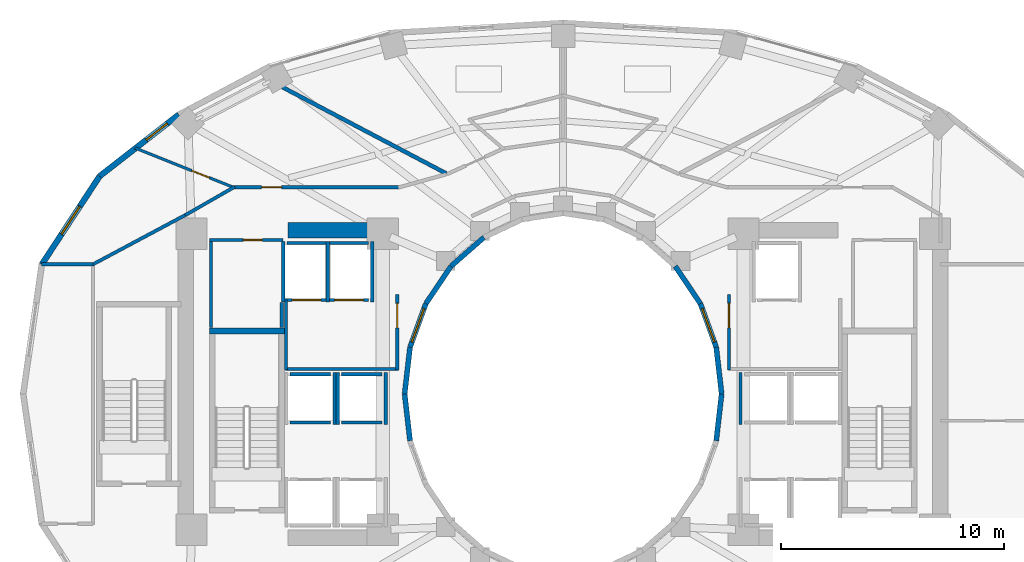
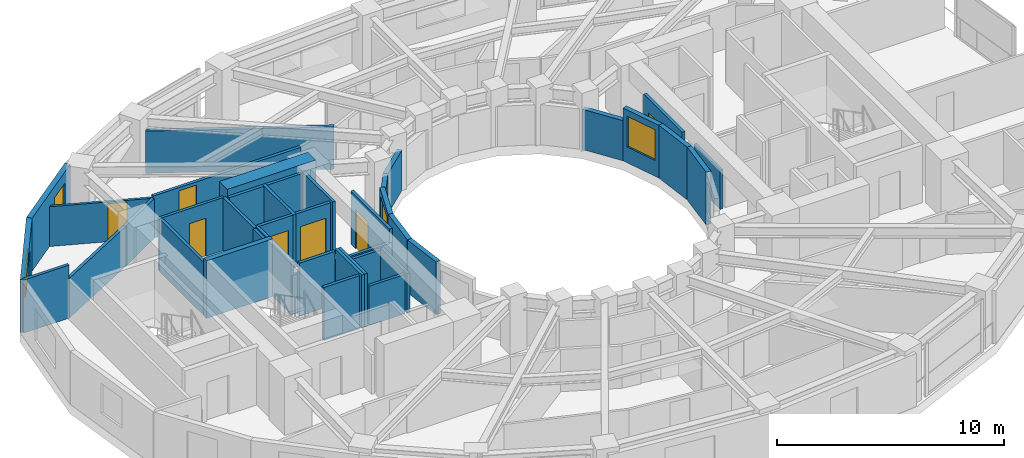
# One storey, part 12 of 18: 41 walls, 7 doors, 4 windows, 11 openings.
"""IFC4 building model written with IfcOpenShell, lengths in metres."""

from ifc_helpers import new_model, si_unit, direction, frame, frame_2d, origin, place, context, subcontext, project, spatial, rectangle, extrude, material, layer, layer_set, type_object, element, fill, save


model = new_model("IFC4")

# Units and contexts
model_context = context("Model", 3, precision=1e-05, world=origin(), true_north=direction((0.0, 1.0)))
body_context = subcontext(model_context, "Body", "Model", "MODEL_VIEW")
ifc_project = project(units=[si_unit("LENGTHUNIT", "METRE"), si_unit("AREAUNIT", "SQUARE_METRE"), si_unit("VOLUMEUNIT", "CUBIC_METRE"), si_unit("PLANEANGLEUNIT", "RADIAN"), si_unit("MASSUNIT", "GRAM", prefix="KILO")], contexts=[model_context])

# Site, building, storey
site_placement = place(None, origin())
site = spatial("IfcSite", under=ifc_project, at=site_placement, CompositionType="ELEMENT")
building_placement = place(site_placement, origin())
building = spatial("IfcBuilding", under=site, at=building_placement, Name="Solvane Sanctuary Tower", CompositionType="ELEMENT")
storey_placement = place(building_placement, frame((0.0, 0.0, 94.89990234375)))
storey = spatial("IfcBuildingStorey", under=building, at=storey_placement, Name="L28", CompositionType="ELEMENT", Elevation=94.89990234375)

# Walls
ifc_material_1 = material(Name="Concrete C60/75", Category="concrete")
ifc_layer_1 = layer(ifc_material_1, 0.699951171875, Name="Concrete C60/75")
ifc_layer_set_1 = layer_set([ifc_layer_1], Name="Concrete C60/75")
wall_type_1 = type_object("IfcWallType", Name="Wall W-CORE-700", PredefinedType="SHEAR", material=ifc_layer_set_1)
wall_1_placement = place(storey_placement, frame((19.64990234375, 30.35009765625, 0.0), z_axis=(0.0, 0.0, 1.0), x_axis=(1.0, 0.0, 0.0)))
element("IfcWall", 1, at=wall_1_placement, inside=storey, type_object=wall_type_1, Name="L28 Core Shear Wall WC-N", PredefinedType="SHEAR", context=body_context, shape_type="SweptSolid", body=[
    extrude(rectangle(XDim=4.5, YDim=0.699951171875, at=frame_2d((2.25, 0.0))), origin(), (0.0, 0.0, 1.0), 3.10009765625),
])
ifc_material_2 = material(Name="Acoustic Gypsum Partition Board")
ifc_layer_2 = layer(ifc_material_2, 0.14990234375, Name="Acoustic Gypsum Partition Board")
ifc_layer_set_2 = layer_set([ifc_layer_2], Name="Acoustic Gypsum Partition Board")
wall_type_2 = type_object("IfcWallType", Name="Wall W-CORR-150", PredefinedType="PARTITIONING", material=ifc_layer_set_2)
wall_2_placement = place(storey_placement, frame((19.52001953125, 24.1201171875, 0.0), z_axis=(0.0, 0.0, 1.0), x_axis=(1.0, 0.0, 0.0)))
element("IfcWall", 2, at=wall_2_placement, inside=storey, type_object=wall_type_2, Name="L28 West Firefighting Lobby South Wall", PredefinedType="PARTITIONING", context=body_context, shape_type="SweptSolid", body=[
    extrude(rectangle(XDim=5.080078125, YDim=0.14990234375, at=frame_2d((2.5400390625, 0.0))), origin(), (0.0, 0.0, 1.0), 2.1201171875),
])
wall_3_placement = place(storey_placement, frame((19.550048828125, 24.080078125, 0.0), z_axis=(0.0, 0.0, 1.0), x_axis=(0.0, 1.0, 0.0)))
element("IfcWall", 3, at=wall_3_placement, inside=storey, type_object=wall_type_2, Name="L28 West Firefighting Lobby West Wall", PredefinedType="PARTITIONING", context=body_context, shape_type="SweptSolid", body=[
    extrude(rectangle(XDim=3.199951171875, YDim=0.14990234375, at=frame_2d((1.60009765625, 0.0))), origin(), (0.0, 0.0, 1.0), 2.85498046875),
])

# Wall, opening, door
wall_4_placement = place(storey_placement, frame((24.550048828125, 24.080078125, 0.0), z_axis=(0.0, 0.0, 1.0), x_axis=(0.0, 1.0, 0.0)))
wall_4 = element("IfcWall", 4, at=wall_4_placement, inside=storey, type_object=wall_type_2, Name="L28 West Firefighting Lobby East Wall", PredefinedType="PARTITIONING", context=body_context, shape_type="SweptSolid", body=[
    extrude(rectangle(XDim=3.39990234375, YDim=0.14990234375, at=frame_2d((1.699951171875, 0.0))), origin(), (0.0, 0.0, 1.0), 2.85498046875),
])
opening_1_placement = place(wall_4_placement, frame((1.893798828125, 0.0, 0.0)))
opening_1 = element("IfcOpeningElement", 5, at=opening_1_placement, cuts=wall_4, Name="Opening D-L28-04", PredefinedType="OPENING", context=body_context, shape_type="SweptSolid", body=[
    extrude(rectangle(XDim=1.10009765625, YDim=2.10009765625, at=frame_2d((0.550048828125, 1.050048828125))), frame((0.0, 0.0849609375, 0.0), z_axis=(0.0, -1.0, 0.0), x_axis=(1.0, 0.0, 0.0)), (0.0, 0.0, 1.0), 0.169921875),
])
ifc_material_3 = material(Name="Architectural Stainless Steel 316", Category="steel")
door_type_1 = type_object("IfcDoorType", Name="Door D-FFL", OperationType="NOTDEFINED", PredefinedType="DOOR", material=ifc_material_3)
door_1_placement = place(opening_1_placement, origin())
door_1 = element("IfcDoor", 6, at=door_1_placement, inside=storey, type_object=door_type_1, Name="L28 West Firefighting Lobby Fire Door", OperationType="SINGLE_SWING_LEFT", OverallHeight=2.10009765625, OverallWidth=1.10009765625, PredefinedType="DOOR", context=body_context, shape_type="SweptSolid", body=[
    extrude(rectangle(XDim=1.10009765625, YDim=2.10009765625, at=frame_2d((0.550048828125, 1.050048828125))), frame((0.0, 0.02490234375, 0.0), z_axis=(0.0, -1.0, 0.0), x_axis=(1.0, 0.0, 0.0)), (0.0, 0.0, 1.0), 0.050048828125),
])
fill(opening_1, door_1)

wall_5_placement = place(storey_placement, frame((39.449951171875, 24.080078125, 0.0), z_axis=(0.0, 0.0, 1.0), x_axis=(0.0, 1.0, 0.0)))
wall_5 = element("IfcWall", 7, at=wall_5_placement, inside=storey, type_object=wall_type_2, Name="L28 East Firefighting Lobby West Wall", PredefinedType="PARTITIONING", context=body_context, shape_type="SweptSolid", body=[
    extrude(rectangle(XDim=3.39990234375, YDim=0.14990234375, at=frame_2d((1.699951171875, 0.0))), origin(), (0.0, 0.0, 1.0), 2.85498046875),
])
opening_2_placement = place(wall_5_placement, frame((1.893798828125, 0.0, 0.0)))
opening_2 = element("IfcOpeningElement", 8, at=opening_2_placement, cuts=wall_5, Name="Opening D-L28-05", PredefinedType="OPENING", context=body_context, shape_type="SweptSolid", body=[
    extrude(rectangle(XDim=1.10009765625, YDim=2.10009765625, at=frame_2d((0.550048828125, 1.050048828125))), frame((0.0, 0.0849609375, 0.0), z_axis=(0.0, -1.0, 0.0), x_axis=(1.0, 0.0, 0.0)), (0.0, 0.0, 1.0), 0.169921875),
])
door_2_placement = place(opening_2_placement, origin())
door_2 = element("IfcDoor", 9, at=door_2_placement, inside=storey, type_object=door_type_1, Name="L28 East Firefighting Lobby Fire Door", OperationType="SINGLE_SWING_RIGHT", OverallHeight=2.10009765625, OverallWidth=1.10009765625, PredefinedType="DOOR", context=body_context, shape_type="SweptSolid", body=[
    extrude(rectangle(XDim=1.10009765625, YDim=2.10009765625, at=frame_2d((0.550048828125, 1.050048828125))), frame((0.0, 0.02490234375, 0.0), z_axis=(0.0, -1.0, 0.0), x_axis=(1.0, 0.0, 0.0)), (0.0, 0.0, 1.0), 0.050048828125),
])
fill(opening_2, door_2)

# Walls
wall_6_placement = place(storey_placement, frame((8.558349609375, 28.8251953125, 0.0), z_axis=(0.0, 0.0, 1.0), x_axis=(1.0, 0.0, 0.0)))
element("IfcWall", 10, at=wall_6_placement, inside=storey, type_object=wall_type_2, Name="L28 West Shoulder North Wall", PredefinedType="PARTITIONING", context=body_context, shape_type="SweptSolid", body=[
    extrude(rectangle(XDim=2.321533203125, YDim=0.14990234375, at=frame_2d((1.16064453125, 0.0))), origin(), (0.0, 0.0, 1.0), 2.85498046875),
])
wall_7_placement = place(storey_placement, frame((10.8447265625, 28.806396484375, 0.0), z_axis=(0.0, 0.0, 1.0), x_axis=(0.88227840565, 0.470727962759, 0.0)))
element("IfcWall", 11, at=wall_7_placement, inside=storey, type_object=wall_type_2, Name="L28 NW Corner Closer 1", PredefinedType="PARTITIONING", context=body_context, shape_type="SweptSolid", body=[
    extrude(rectangle(XDim=4.806396484375, YDim=0.14990234375, at=frame_2d((2.4033203125, 0.0))), origin(), (0.0, 0.0, 1.0), 2.14208984375),
])

# Wall, opening, door
wall_8_placement = place(storey_placement, frame((17.14990234375, 32.280029296875, 0.0), z_axis=(0.0, 0.0, 1.0), x_axis=(1.0, 0.0, 0.0)))
wall_8 = element("IfcWall", 12, at=wall_8_placement, inside=storey, type_object=wall_type_2, Name="L28 NW Corner Corridor Wall", PredefinedType="PARTITIONING", context=body_context, shape_type="SweptSolid", body=[
    extrude(rectangle(XDim=7.52001953125, YDim=0.14990234375, at=frame_2d((3.760009765625, 0.0))), origin(), (0.0, 0.0, 1.0), 2.272216796875),
])
opening_3_placement = place(wall_8_placement, frame((1.300048828125, 0.0, 0.0)))
opening_3 = element("IfcOpeningElement", 13, at=opening_3_placement, cuts=wall_8, Name="Opening D-L28-13", PredefinedType="OPENING", context=body_context, shape_type="SweptSolid", body=[
    extrude(rectangle(XDim=0.89990234375, YDim=2.10009765625, at=frame_2d((0.449951171875, 1.050048828125))), frame((0.0, 0.0849609375, 0.0), z_axis=(0.0, -1.0, 0.0), x_axis=(1.0, 0.0, 0.0)), (0.0, 0.0, 1.0), 0.169921875),
])
ifc_material_4 = material(Name="Engineered Tropical Hardwood", Category="wood")
door_type_2 = type_object("IfcDoorType", Name="Door D-WET-900", OperationType="NOTDEFINED", PredefinedType="DOOR", material=ifc_material_4)
door_3_placement = place(opening_3_placement, origin())
door_3 = element("IfcDoor", 14, at=door_3_placement, inside=storey, type_object=door_type_2, Name="L28 NW Corner Salon Door", OperationType="SINGLE_SWING_RIGHT", OverallHeight=2.10009765625, OverallWidth=0.89990234375, PredefinedType="DOOR", context=body_context, shape_type="SweptSolid", body=[
    extrude(rectangle(XDim=0.89990234375, YDim=2.10009765625, at=frame_2d((0.449951171875, 1.050048828125))), frame((0.0, 0.02490234375, 0.0), z_axis=(0.0, -1.0, 0.0), x_axis=(1.0, 0.0, 0.0)), (0.0, 0.0, 1.0), 0.050048828125),
])
fill(opening_3, door_3)

# Wall
wall_9_placement = place(storey_placement, frame((17.243408203125, 32.3046875, 0.0), z_axis=(0.0, 0.0, 1.0), x_axis=(-0.867991349648, -0.496579315857, 0.0)))
element("IfcWall", 15, at=wall_9_placement, inside=storey, type_object=wall_type_2, Name="L28 NW Corner Wing Wall", PredefinedType="PARTITIONING", context=body_context, shape_type="SweptSolid", body=[
    extrude(rectangle(XDim=2.56689453125, YDim=0.14990234375, at=frame_2d((1.283447265625, 0.0))), origin(), (0.0, 0.0, 1.0), 2.14208984375),
])

# Wall, opening, window
ifc_material_5 = material(Name="Precast concrete C40/50", Category="concrete")
ifc_layer_3 = layer(ifc_material_5, 0.260009765625, Name="Precast concrete C40/50")
ifc_layer_set_3 = layer_set([ifc_layer_3], Name="Precast concrete C40/50")
wall_type_3 = type_object("IfcWallType", Name="Wall W-EXT-250", PredefinedType="STANDARD", material=ifc_layer_set_3)
wall_10_placement = place(storey_placement, frame((14.734130859375, 35.55322265625, 0.0), z_axis=(0.0, 0.0, 1.0), x_axis=(-0.789127449954, -0.614229491094, 0.0)))
wall_10 = element("IfcWall", 16, at=wall_10_placement, inside=storey, type_object=wall_type_3, Name="L28 Ceramic-Printed Facade Wall 09", PredefinedType="STANDARD", context=body_context, shape_type="SweptSolid", body=[
    extrude(rectangle(XDim=4.504638671875, YDim=0.260009765625, at=frame_2d((2.25244140625, 0.0))), origin(), (0.0, 0.0, 1.0), 2.85009765625),
])
opening_4_placement = place(wall_10_placement, frame((0.65478515625, 0.0, 0.75)))
opening_4 = element("IfcOpeningElement", 17, at=opening_4_placement, cuts=wall_10, Name="Opening WN-OPER-1200", PredefinedType="OPENING", context=body_context, shape_type="SweptSolid", body=[
    extrude(rectangle(XDim=1.199951171875, YDim=1.5, at=frame_2d((0.60009765625, 0.75))), frame((0.0, 0.139892578125, 0.0), z_axis=(0.0, -1.0, 0.0), x_axis=(1.0, 0.0, 0.0)), (0.0, 0.0, 1.0), 0.280029296875),
])
ifc_material_6 = material(Name="Dark Ceramic-Fritted Low-E Glass", Category="glass")
window_type_1 = type_object("IfcWindowType", Name="Window WN-OPER-1200", PartitioningType="SINGLE_PANEL", PredefinedType="WINDOW", material=ifc_material_6)
window_1_placement = place(opening_4_placement, origin())
window_1 = element("IfcWindow", 18, at=window_1_placement, inside=storey, type_object=window_type_1, Name="L28 Operable Facade Window 09", OverallHeight=1.5, OverallWidth=1.199951171875, PartitioningType="SINGLE_PANEL", PredefinedType="WINDOW", context=body_context, shape_type="SweptSolid", body=[
    extrude(rectangle(XDim=1.199951171875, YDim=1.5, at=frame_2d((0.60009765625, 0.75))), frame((0.0, 0.030029296875, 0.0), z_axis=(0.0, -1.0, 0.0), x_axis=(1.0, 0.0, 0.0)), (0.0, 0.0, 1.0), 0.06005859375),
])
fill(opening_4, window_1)

wall_11_placement = place(storey_placement, frame((11.179443359375, 32.786376953125, 0.0), z_axis=(0.0, 0.0, 1.0), x_axis=(-0.548283220945, -0.836292717672, 0.0)))
wall_11 = element("IfcWall", 19, at=wall_11_placement, inside=storey, type_object=wall_type_3, Name="L28 Ceramic-Printed Facade Wall 10", PredefinedType="STANDARD", context=body_context, shape_type="SweptSolid", body=[
    extrude(rectangle(XDim=4.744384765625, YDim=0.260009765625, at=frame_2d((2.3720703125, 0.0))), origin(), (0.0, 0.0, 1.0), 2.85009765625),
])
opening_5_placement = place(wall_11_placement, frame((1.622314453125, 0.0, 0.75)))
opening_5 = element("IfcOpeningElement", 20, at=opening_5_placement, cuts=wall_11, Name="Opening WN-OPER-1500", PredefinedType="OPENING", context=body_context, shape_type="SweptSolid", body=[
    extrude(rectangle(XDim=1.5, YDim=1.60009765625, at=frame_2d((0.75, 0.800048828125))), frame((0.0, 0.139892578125, 0.0), z_axis=(0.0, -1.0, 0.0), x_axis=(1.0, 0.0, 0.0)), (0.0, 0.0, 1.0), 0.280029296875),
])
window_type_2 = type_object("IfcWindowType", Name="Window WN-OPER-1500", PartitioningType="SINGLE_PANEL", PredefinedType="WINDOW", material=ifc_material_6)
window_2_placement = place(opening_5_placement, origin())
window_2 = element("IfcWindow", 21, at=window_2_placement, inside=storey, type_object=window_type_2, Name="L28 Operable Facade Window 10", OverallHeight=1.60009765625, OverallWidth=1.5, PartitioningType="SINGLE_PANEL", PredefinedType="WINDOW", context=body_context, shape_type="SweptSolid", body=[
    extrude(rectangle(XDim=1.5, YDim=1.60009765625, at=frame_2d((0.75, 0.800048828125))), frame((0.0, 0.030029296875, 0.0), z_axis=(0.0, -1.0, 0.0), x_axis=(1.0, 0.0, 0.0)), (0.0, 0.0, 1.0), 0.06005859375),
])
fill(opening_5, window_2)

# Wall
ifc_layer_4 = layer(ifc_material_5, 0.22998046875, Name="Precast concrete C40/50")
ifc_layer_set_4 = layer_set([ifc_layer_4], Name="Precast concrete C40/50")
wall_type_4 = type_object("IfcWallType", Name="Wall W-EXT-SP220", PredefinedType="STANDARD", material=ifc_layer_set_4)
wall_12_placement = place(storey_placement, frame((39.1201171875, 23.0, 0.0), z_axis=(0.0, 0.0, 1.0), x_axis=(-0.114711713601, 0.993398823617, 0.0)))
element("IfcWall", 22, at=wall_12_placement, inside=storey, type_object=wall_type_4, Name="L28 Central Light-Well Wall 00", PredefinedType="STANDARD", context=body_context, shape_type="SweptSolid", body=[
    extrude(rectangle(XDim=2.115478515625, YDim=0.22998046875, at=frame_2d((1.0576171875, 0.0))), origin(), (0.0, 0.0, 1.0), 2.840087890625),
])

# Wall, opening, window
wall_13_placement = place(storey_placement, frame((38.87744140625, 25.1015625, 0.0), z_axis=(0.0, 0.0, 1.0), x_axis=(-0.341423187295, 0.93990968033, 0.0)))
wall_13 = element("IfcWall", 23, at=wall_13_placement, inside=storey, type_object=wall_type_4, Name="L28 Central Light-Well Wall 01", PredefinedType="STANDARD", context=body_context, shape_type="SweptSolid", body=[
    extrude(rectangle(XDim=2.083740234375, YDim=0.22998046875, at=frame_2d((1.0419921875, 0.0))), origin(), (0.0, 0.0, 1.0), 2.840087890625),
])
opening_6_placement = place(wall_13_placement, frame((0.24169921875, 0.0, 0.85009765625)))
opening_6 = element("IfcOpeningElement", 24, at=opening_6_placement, cuts=wall_13, Name="Opening WN-WELL-1600", PredefinedType="OPENING", context=body_context, shape_type="SweptSolid", body=[
    extrude(rectangle(XDim=1.60009765625, YDim=1.64990234375, at=frame_2d((0.800048828125, 0.824951171875))), frame((0.0, 0.125, 0.0), z_axis=(0.0, -1.0, 0.0), x_axis=(1.0, 0.0, 0.0)), (0.0, 0.0, 1.0), 0.25),
])
ifc_material_7 = material(Name="Clear Laminated Light-Well Glass", Category="glass")
window_type_3 = type_object("IfcWindowType", Name="Window WN-WELL-1600", PartitioningType="SINGLE_PANEL", PredefinedType="WINDOW", material=ifc_material_7)
window_3_placement = place(opening_6_placement, origin())
window_3 = element("IfcWindow", 25, at=window_3_placement, inside=storey, type_object=window_type_3, Name="L28 Light-Well Daylight Window 01", OverallHeight=1.64990234375, OverallWidth=1.60009765625, PartitioningType="SINGLE_PANEL", PredefinedType="WINDOW", context=body_context, shape_type="SweptSolid", body=[
    extrude(rectangle(XDim=1.60009765625, YDim=1.64990234375, at=frame_2d((0.800048828125, 0.824951171875))), frame((0.0, 0.030029296875, 0.0), z_axis=(0.0, -1.0, 0.0), x_axis=(1.0, 0.0, 0.0)), (0.0, 0.0, 1.0), 0.06005859375),
])
fill(opening_6, window_3)

# Walls
wall_14_placement = place(storey_placement, frame((38.166015625, 27.06005859375, 0.0), z_axis=(0.0, 0.0, 1.0), x_axis=(-0.558197800898, 0.829707909492, 0.0)))
element("IfcWall", 26, at=wall_14_placement, inside=storey, type_object=wall_type_4, Name="L28 Central Light-Well Wall 02", PredefinedType="STANDARD", context=body_context, shape_type="SweptSolid", body=[
    extrude(rectangle(XDim=2.02685546875, YDim=0.22998046875, at=frame_2d((1.013427734375, 0.0))), origin(), (0.0, 0.0, 1.0), 2.16015625),
])
wall_15_placement = place(storey_placement, frame((28.43994140625, 30.031982421875, 0.0), z_axis=(0.0, 0.0, 1.0), x_axis=(-0.752576694707, -0.658504607869, 0.0)))
element("IfcWall", 27, at=wall_15_placement, inside=storey, type_object=wall_type_4, Name="L28 Central Light-Well Wall 08", PredefinedType="STANDARD", context=body_context, shape_type="SweptSolid", body=[
    extrude(rectangle(XDim=1.95947265625, YDim=0.22998046875, at=frame_2d((0.979736328125, 0.0))), origin(), (0.0, 0.0, 1.0), 2.16015625),
])
wall_16_placement = place(storey_placement, frame((26.96533203125, 28.74169921875, 0.0), z_axis=(0.0, 0.0, 1.0), x_axis=(-0.558197800898, -0.829707909492, 0.0)))
element("IfcWall", 28, at=wall_16_placement, inside=storey, type_object=wall_type_4, Name="L28 Central Light-Well Wall 09", PredefinedType="STANDARD", context=body_context, shape_type="SweptSolid", body=[
    extrude(rectangle(XDim=2.02685546875, YDim=0.22998046875, at=frame_2d((1.013427734375, 0.0))), origin(), (0.0, 0.0, 1.0), 2.16015625),
])

# Wall, opening, window
wall_17_placement = place(storey_placement, frame((25.833984375, 27.06005859375, 0.0), z_axis=(0.0, 0.0, 1.0), x_axis=(-0.341423187295, -0.93990968033, 0.0)))
wall_17 = element("IfcWall", 29, at=wall_17_placement, inside=storey, type_object=wall_type_4, Name="L28 Central Light-Well Wall 10", PredefinedType="STANDARD", context=body_context, shape_type="SweptSolid", body=[
    extrude(rectangle(XDim=2.083740234375, YDim=0.22998046875, at=frame_2d((1.0419921875, 0.0))), origin(), (0.0, 0.0, 1.0), 2.840087890625),
])
opening_7_placement = place(wall_17_placement, frame((0.24169921875, 0.0, 0.85009765625)))
opening_7 = element("IfcOpeningElement", 30, at=opening_7_placement, cuts=wall_17, Name="Opening WN-WELL-1600", PredefinedType="OPENING", context=body_context, shape_type="SweptSolid", body=[
    extrude(rectangle(XDim=1.60009765625, YDim=1.64990234375, at=frame_2d((0.800048828125, 0.824951171875))), frame((0.0, 0.125, 0.0), z_axis=(0.0, -1.0, 0.0), x_axis=(1.0, 0.0, 0.0)), (0.0, 0.0, 1.0), 0.25),
])
window_4_placement = place(opening_7_placement, origin())
window_4 = element("IfcWindow", 31, at=window_4_placement, inside=storey, type_object=window_type_3, Name="L28 Light-Well Daylight Window 10", OverallHeight=1.64990234375, OverallWidth=1.60009765625, PartitioningType="SINGLE_PANEL", PredefinedType="WINDOW", context=body_context, shape_type="SweptSolid", body=[
    extrude(rectangle(XDim=1.60009765625, YDim=1.64990234375, at=frame_2d((0.800048828125, 0.824951171875))), frame((0.0, 0.030029296875, 0.0), z_axis=(0.0, -1.0, 0.0), x_axis=(1.0, 0.0, 0.0)), (0.0, 0.0, 1.0), 0.06005859375),
])
fill(opening_7, window_4)

# Walls
for number, where, z_axis, x_axis, name in (
    (32, (25.12255859375, 25.1015625, 0.0), (0.0, 0.0, 1.0), (-0.114711713601, -0.993398823617, 0.0), "L28 Central Light-Well Wall 11"),
    (33, (24.8798828125, 23.0, 0.0), (0.0, 0.0, 1.0), (0.114711713601, -0.993398823617, 0.0), "L28 Central Light-Well Wall 12"),
    (34, (38.87744140625, 20.8984375, 0.0), (0.0, 0.0, 1.0), (0.114711713601, 0.993398823617, 0.0), "L28 Central Light-Well Wall 23"),
):
    element("IfcWall", number, at=place(storey_placement, frame(where, z_axis=z_axis, x_axis=x_axis)), inside=storey, type_object=wall_type_4, Name=name, PredefinedType="STANDARD", context=body_context, shape_type="SweptSolid", body=[
        extrude(rectangle(XDim=2.115478515625, YDim=0.22998046875, at=frame_2d((1.0576171875, 0.0))), origin(), (0.0, 0.0, 1.0), 2.840087890625),
    ])

# Wall, opening, door
ifc_layer_5 = layer(ifc_material_2, 0.1201171875, Name="Acoustic Gypsum Partition Board")
ifc_layer_set_5 = layer_set([ifc_layer_5], Name="Acoustic Gypsum Partition Board")
wall_type_5 = type_object("IfcWallType", Name="Wall W-MOV-100", PredefinedType="MOVABLE", material=ifc_layer_set_5)
wall_18_placement = place(storey_placement, frame((17.246337890625, 32.261474609375, 0.0), z_axis=(0.0, 0.0, 1.0), x_axis=(-0.928511602422, 0.371303385614, 0.0)))
wall_18 = element("IfcWall", 35, at=wall_18_placement, inside=storey, type_object=wall_type_5, Name="L28 NW Corner Suite Partition", PredefinedType="MOVABLE", context=body_context, shape_type="SweptSolid", body=[
    extrude(rectangle(XDim=4.822265625, YDim=0.1201171875, at=frame_2d((2.4111328125, 0.0))), origin(), (0.0, 0.0, 1.0), 2.14208984375),
])
opening_8_placement = place(wall_18_placement, frame((1.22802734375, 0.0, 0.0)))
opening_8 = element("IfcOpeningElement", 36, at=opening_8_placement, cuts=wall_18, Name="Opening D-L28-12", PredefinedType="OPENING", context=body_context, shape_type="SweptSolid", body=[
    extrude(rectangle(XDim=0.85009765625, YDim=2.050048828125, at=frame_2d((0.425048828125, 1.02490234375))), frame((0.0, 0.070068359375, 0.0), z_axis=(0.0, -1.0, 0.0), x_axis=(1.0, 0.0, 0.0)), (0.0, 0.0, 1.0), 0.14013671875),
])
door_type_3 = type_object("IfcDoorType", Name="Door D-RISER", OperationType="NOTDEFINED", PredefinedType="DOOR", material=ifc_material_3)
door_4_placement = place(opening_8_placement, origin())
door_4 = element("IfcDoor", 37, at=door_4_placement, inside=storey, type_object=door_type_3, Name="L28 NW Corner Suite Door", OperationType="SINGLE_SWING_LEFT", OverallHeight=2.050048828125, OverallWidth=0.85009765625, PredefinedType="DOOR", context=body_context, shape_type="SweptSolid", body=[
    extrude(rectangle(XDim=0.85009765625, YDim=2.050048828125, at=frame_2d((0.425048828125, 1.02490234375))), frame((0.0, 0.02490234375, 0.0), z_axis=(0.0, -1.0, 0.0), x_axis=(1.0, 0.0, 0.0)), (0.0, 0.0, 1.0), 0.050048828125),
])
fill(opening_8, door_4)

# Walls
ifc_material_8 = material(Name="Concrete C50/60", Category="concrete")
ifc_layer_6 = layer(ifc_material_8, 0.14990234375, Name="Concrete C50/60")
ifc_layer_set_6 = layer_set([ifc_layer_6], Name="Concrete C50/60")
wall_type_6 = type_object("IfcWallType", Name="Wall W-SHAFT-150", PredefinedType="SOLIDWALL", material=ifc_layer_set_6)
for number, where, z_axis, x_axis, name in (
    (38, (19.739990234375, 21.719970703125, 0.0), (0.0, 0.0, 1.0), (1.0, 0.0, 0.0), "L28 PM-1 Lift Shaft Wall F"),
    (39, (19.739990234375, 23.8798828125, 0.0), (0.0, 0.0, 1.0), (1.0, 0.0, 0.0), "L28 PM-1 Lift Shaft Wall B"),
):
    element("IfcWall", number, at=place(storey_placement, frame(where, z_axis=z_axis, x_axis=x_axis)), inside=storey, type_object=wall_type_6, Name=name, PredefinedType="SOLIDWALL", context=body_context, shape_type="SweptSolid", body=[
        extrude(rectangle(XDim=1.820068359375, YDim=0.14990234375, at=frame_2d((0.91015625, 0.0))), origin(), (0.0, 0.0, 1.0), 2.85498046875),
    ])
wall_19_placement = place(storey_placement, frame((21.72998046875, 21.639892578125, 0.0), z_axis=(0.0, 0.0, 1.0), x_axis=(0.0, 1.0, 0.0)))
element("IfcWall", 40, at=wall_19_placement, inside=storey, type_object=wall_type_6, Name="L28 PM-1 Lift Shaft Wall S2", PredefinedType="SOLIDWALL", context=body_context, shape_type="SweptSolid", body=[
    extrude(rectangle(XDim=2.320068359375, YDim=0.14990234375, at=frame_2d((1.16015625, 0.0))), origin(), (0.0, 0.0, 1.0), 2.85498046875),
])
for number, where, z_axis, x_axis, name in (
    (41, (22.0400390625, 21.719970703125, 0.0), (0.0, 0.0, 1.0), (1.0, 0.0, 0.0), "L28 PH-1 Lift Shaft Wall F"),
    (42, (22.0400390625, 23.8798828125, 0.0), (0.0, 0.0, 1.0), (1.0, 0.0, 0.0), "L28 PH-1 Lift Shaft Wall B"),
):
    element("IfcWall", number, at=place(storey_placement, frame(where, z_axis=z_axis, x_axis=x_axis)), inside=storey, type_object=wall_type_6, Name=name, PredefinedType="SOLIDWALL", context=body_context, shape_type="SweptSolid", body=[
        extrude(rectangle(XDim=1.820068359375, YDim=0.14990234375, at=frame_2d((0.91015625, 0.0))), origin(), (0.0, 0.0, 1.0), 2.1201171875),
    ])
wall_20_placement = place(storey_placement, frame((21.8701171875, 21.639892578125, 0.0), z_axis=(0.0, 0.0, 1.0), x_axis=(0.0, 1.0, 0.0)))
element("IfcWall", 43, at=wall_20_placement, inside=storey, type_object=wall_type_6, Name="L28 PH-1 Lift Shaft Wall S1", PredefinedType="SOLIDWALL", context=body_context, shape_type="SweptSolid", body=[
    extrude(rectangle(XDim=2.320068359375, YDim=0.14990234375, at=frame_2d((1.16015625, 0.0))), origin(), (0.0, 0.0, 1.0), 2.85498046875),
])
for number, where, z_axis, x_axis, name in (
    (44, (24.030029296875, 21.639892578125, 0.0), (0.0, 0.0, 1.0), (0.0, 1.0, 0.0), "L28 PH-1 Lift Shaft Wall S2"),
    (45, (39.969970703125, 21.639892578125, 0.0), (0.0, 0.0, 1.0), (0.0, 1.0, 0.0), "L28 PH-2 Lift Shaft Wall S1"),
):
    element("IfcWall", number, at=place(storey_placement, frame(where, z_axis=z_axis, x_axis=x_axis)), inside=storey, type_object=wall_type_6, Name=name, PredefinedType="SOLIDWALL", context=body_context, shape_type="SweptSolid", body=[
        extrude(rectangle(XDim=2.320068359375, YDim=0.14990234375, at=frame_2d((1.16015625, 0.0))), origin(), (0.0, 0.0, 1.0), 2.1201171875),
    ])

# Wall, opening, door
wall_21_placement = place(storey_placement, frame((19.590087890625, 27.219970703125, 0.0), z_axis=(0.0, 0.0, 1.0), x_axis=(1.0, 0.0, 0.0)))
wall_21 = element("IfcWall", 46, at=wall_21_placement, inside=storey, type_object=wall_type_6, Name="L28 FFL-1 Lift Shaft Wall F", PredefinedType="SOLIDWALL", context=body_context, shape_type="SweptSolid", body=[
    extrude(rectangle(XDim=1.760009765625, YDim=0.14990234375, at=frame_2d((0.8798828125, 0.0))), origin(), (0.0, 0.0, 1.0), 2.85498046875),
])
opening_9_placement = place(wall_21_placement, frame((0.22998046875, 0.0, 0.0)))
opening_9 = element("IfcOpeningElement", 47, at=opening_9_placement, cuts=wall_21, Name="Opening LD-L28-05", PredefinedType="OPENING", context=body_context, shape_type="SweptSolid", body=[
    extrude(rectangle(XDim=1.300048828125, YDim=2.10009765625, at=frame_2d((0.64990234375, 1.050048828125))), frame((0.0, 0.0849609375, 0.0), z_axis=(0.0, -1.0, 0.0), x_axis=(1.0, 0.0, 0.0)), (0.0, 0.0, 1.0), 0.169921875),
])
door_type_4 = type_object("IfcDoorType", Name="Door LD-FFL-1300", OperationType="NOTDEFINED", PredefinedType="DOOR", material=ifc_material_3)
door_5_placement = place(opening_9_placement, origin())
door_5 = element("IfcDoor", 48, at=door_5_placement, inside=storey, type_object=door_type_4, Name="L28 FFL-1 Lift Landing Door", OperationType="DOUBLE_DOOR_SLIDING", OverallHeight=2.10009765625, OverallWidth=1.300048828125, PredefinedType="DOOR", context=body_context, shape_type="SweptSolid", body=[
    extrude(rectangle(XDim=1.300048828125, YDim=2.10009765625, at=frame_2d((0.64990234375, 1.050048828125))), frame((0.0, 0.02490234375, 0.0), z_axis=(0.0, -1.0, 0.0), x_axis=(1.0, 0.0, 0.0)), (0.0, 0.0, 1.0), 0.050048828125),
])
fill(opening_9, door_5)

# Walls
wall_22_placement = place(storey_placement, frame((19.590087890625, 29.780029296875, 0.0), z_axis=(0.0, 0.0, 1.0), x_axis=(1.0, 0.0, 0.0)))
element("IfcWall", 49, at=wall_22_placement, inside=storey, type_object=wall_type_6, Name="L28 FFL-1 Lift Shaft Wall B", PredefinedType="SOLIDWALL", context=body_context, shape_type="SweptSolid", body=[
    extrude(rectangle(XDim=1.760009765625, YDim=0.14990234375, at=frame_2d((0.8798828125, 0.0))), origin(), (0.0, 0.0, 1.0), 2.85498046875),
])
for number, where, z_axis, x_axis, name in (
    (50, (19.419921875, 27.139892578125, 0.0), (0.0, 0.0, 1.0), (0.0, 1.0, 0.0), "L28 FFL-1 Lift Shaft Wall S1"),
    (51, (21.425048828125, 27.139892578125, 0.0), (0.0, 0.0, 1.0), (0.0, 1.0, 0.0), "L28 FFL-1 Lift Shaft Wall S2"),
):
    element("IfcWall", number, at=place(storey_placement, frame(where, z_axis=z_axis, x_axis=x_axis)), inside=storey, type_object=wall_type_6, Name=name, PredefinedType="SOLIDWALL", context=body_context, shape_type="SweptSolid", body=[
        extrude(rectangle(XDim=2.72021484375, YDim=0.14990234375, at=frame_2d((1.360107421875, 0.0))), origin(), (0.0, 0.0, 1.0), 2.85498046875),
    ])

# Wall, opening, door
wall_23_placement = place(storey_placement, frame((21.5, 27.219970703125, 0.0), z_axis=(0.0, 0.0, 1.0), x_axis=(1.0, 0.0, 0.0)))
wall_23 = element("IfcWall", 52, at=wall_23_placement, inside=storey, type_object=wall_type_6, Name="L28 SVL-1 Lift Shaft Wall F", PredefinedType="SOLIDWALL", context=body_context, shape_type="SweptSolid", body=[
    extrude(rectangle(XDim=1.760009765625, YDim=0.14990234375, at=frame_2d((0.8798828125, 0.0))), origin(), (0.0, 0.0, 1.0), 2.85498046875),
])
opening_10_placement = place(wall_23_placement, frame((0.22998046875, 0.0, 0.0)))
opening_10 = element("IfcOpeningElement", 53, at=opening_10_placement, cuts=wall_23, Name="Opening LD-L28-06", PredefinedType="OPENING", context=body_context, shape_type="SweptSolid", body=[
    extrude(rectangle(XDim=1.300048828125, YDim=2.10009765625, at=frame_2d((0.64990234375, 1.050048828125))), frame((0.0, 0.0849609375, 0.0), z_axis=(0.0, -1.0, 0.0), x_axis=(1.0, 0.0, 0.0)), (0.0, 0.0, 1.0), 0.169921875),
])
door_6_placement = place(opening_10_placement, origin())
door_6 = element("IfcDoor", 54, at=door_6_placement, inside=storey, type_object=door_type_4, Name="L28 SVL-1 Lift Landing Door", OperationType="DOUBLE_DOOR_SLIDING", OverallHeight=2.10009765625, OverallWidth=1.300048828125, PredefinedType="DOOR", context=body_context, shape_type="SweptSolid", body=[
    extrude(rectangle(XDim=1.300048828125, YDim=2.10009765625, at=frame_2d((0.64990234375, 1.050048828125))), frame((0.0, 0.02490234375, 0.0), z_axis=(0.0, -1.0, 0.0), x_axis=(1.0, 0.0, 0.0)), (0.0, 0.0, 1.0), 0.050048828125),
])
fill(opening_10, door_6)

# Walls
wall_24_placement = place(storey_placement, frame((21.5, 29.780029296875, 0.0), z_axis=(0.0, 0.0, 1.0), x_axis=(1.0, 0.0, 0.0)))
element("IfcWall", 55, at=wall_24_placement, inside=storey, type_object=wall_type_6, Name="L28 SVL-1 Lift Shaft Wall B", PredefinedType="SOLIDWALL", context=body_context, shape_type="SweptSolid", body=[
    extrude(rectangle(XDim=1.760009765625, YDim=0.14990234375, at=frame_2d((0.8798828125, 0.0))), origin(), (0.0, 0.0, 1.0), 2.85498046875),
])
wall_25_placement = place(storey_placement, frame((23.429931640625, 27.139892578125, 0.0), z_axis=(0.0, 0.0, 1.0), x_axis=(0.0, 1.0, 0.0)))
element("IfcWall", 56, at=wall_25_placement, inside=storey, type_object=wall_type_6, Name="L28 SVL-1 Lift Shaft Wall S2", PredefinedType="SOLIDWALL", context=body_context, shape_type="SweptSolid", body=[
    extrude(rectangle(XDim=2.72021484375, YDim=0.14990234375, at=frame_2d((1.360107421875, 0.0))), origin(), (0.0, 0.0, 1.0), 2.85498046875),
])
ifc_layer_7 = layer(ifc_material_8, 0.25, Name="Concrete C50/60")
ifc_layer_set_7 = layer_set([ifc_layer_7], Name="Concrete C50/60")
wall_type_7 = type_object("IfcWallType", Name="Wall W-SHAFT-250", PredefinedType="SOLIDWALL", material=ifc_layer_set_7)
wall_26_placement = place(storey_placement, frame((16.10498046875, 25.830078125, 0.0), z_axis=(0.0, 0.0, 1.0), x_axis=(1.0, 0.0, 0.0)))
element("IfcWall", 57, at=wall_26_placement, inside=storey, type_object=wall_type_7, Name="L28 ST-1 Load-Bearing Shaft Wall N", PredefinedType="SOLIDWALL", context=body_context, shape_type="SweptSolid", body=[
    extrude(rectangle(XDim=3.3701171875, YDim=0.25, at=frame_2d((1.68505859375, 0.0))), origin(), (0.0, 0.0, 1.0), 3.10009765625),
])
ifc_layer_8 = layer(ifc_material_2, 0.179931640625, Name="Acoustic Gypsum Partition Board")
ifc_layer_set_8 = layer_set([ifc_layer_8], Name="Acoustic Gypsum Partition Board")
wall_type_8 = type_object("IfcWallType", Name="Wall W-UNIT-180", PredefinedType="PARTITIONING", material=ifc_layer_set_8)
wall_27_placement = place(storey_placement, frame((26.746337890625, 32.906982421875, 0.0), z_axis=(0.0, 0.0, 1.0), x_axis=(-0.884730147854, 0.466103599512, 0.0)))
element("IfcWall", 58, at=wall_27_placement, inside=storey, type_object=wall_type_8, Name="L28 Radial Compartment Wall 120", PredefinedType="PARTITIONING", context=body_context, shape_type="SweptSolid", body=[
    extrude(rectangle(XDim=8.309814453125, YDim=0.179931640625, at=frame_2d((4.15478515625, 0.0))), origin(), (0.0, 0.0, 1.0), 2.272216796875),
])

# Wall, opening, door
ifc_layer_9 = layer(ifc_material_2, 0.139892578125, Name="Acoustic Gypsum Partition Board")
ifc_layer_set_9 = layer_set([ifc_layer_9], Name="Acoustic Gypsum Partition Board")
wall_type_9 = type_object("IfcWallType", Name="Wall W-WET-140", PredefinedType="PLUMBINGWALL", material=ifc_layer_set_9)
wall_28_placement = place(storey_placement, frame((16.1201171875, 29.919921875, 0.0), z_axis=(0.0, 0.0, 1.0), x_axis=(1.0, 0.0, 0.0)))
wall_28 = element("IfcWall", 59, at=wall_28_placement, inside=storey, type_object=wall_type_9, Name="L28 Core Service Front Wall KW0", PredefinedType="PLUMBINGWALL", context=body_context, shape_type="SweptSolid", body=[
    extrude(rectangle(XDim=3.2998046875, YDim=0.139892578125, at=frame_2d((1.64990234375, 0.0))), origin(), (0.0, 0.0, 1.0), 2.85498046875),
])
opening_11_placement = place(wall_28_placement, frame((1.515869140625, 0.0, 0.0)))
opening_11 = element("IfcOpeningElement", 60, at=opening_11_placement, cuts=wall_28, Name="Opening D-L28-06", PredefinedType="OPENING", context=body_context, shape_type="SweptSolid", body=[
    extrude(rectangle(XDim=0.85009765625, YDim=2.050048828125, at=frame_2d((0.425048828125, 1.02490234375))), frame((0.0, 0.079833984375, 0.0), z_axis=(0.0, -1.0, 0.0), x_axis=(1.0, 0.0, 0.0)), (0.0, 0.0, 1.0), 0.159912109375),
])
door_7_placement = place(opening_11_placement, origin())
door_7 = element("IfcDoor", 61, at=door_7_placement, inside=storey, type_object=door_type_3, Name="L28 Core Service Room Door KW0-1", OperationType="SINGLE_SWING_LEFT", OverallHeight=2.050048828125, OverallWidth=0.85009765625, PredefinedType="DOOR", context=body_context, shape_type="SweptSolid", body=[
    extrude(rectangle(XDim=0.85009765625, YDim=2.050048828125, at=frame_2d((0.425048828125, 1.02490234375))), frame((0.0, 0.02490234375, 0.0), z_axis=(0.0, -1.0, 0.0), x_axis=(1.0, 0.0, 0.0)), (0.0, 0.0, 1.0), 0.050048828125),
])
fill(opening_11, door_7)

# Walls
wall_29_placement = place(storey_placement, frame((16.179931640625, 25.97998046875, 0.0), z_axis=(0.0, 0.0, 1.0), x_axis=(0.0, 1.0, 0.0)))
element("IfcWall", 62, at=wall_29_placement, inside=storey, type_object=wall_type_9, Name="L28 Core Service Side Wall KW0-1", PredefinedType="PLUMBINGWALL", context=body_context, shape_type="SweptSolid", body=[
    extrude(rectangle(XDim=3.880126953125, YDim=0.139892578125, at=frame_2d((1.93994140625, 0.0))), origin(), (0.0, 0.0, 1.0), 2.85498046875),
])
wall_30_placement = place(storey_placement, frame((19.360107421875, 25.97998046875, 0.0), z_axis=(0.0, 0.0, 1.0), x_axis=(0.0, 1.0, 0.0)))
element("IfcWall", 63, at=wall_30_placement, inside=storey, type_object=wall_type_9, Name="L28 Core Service Side Wall KW0-2", PredefinedType="PLUMBINGWALL", context=body_context, shape_type="SweptSolid", body=[
    extrude(rectangle(XDim=1.1201171875, YDim=0.139892578125, at=frame_2d((0.56005859375, 0.0))), origin(), (0.0, 0.0, 1.0), 2.85498046875),
])

save(model, "model.ifc")
